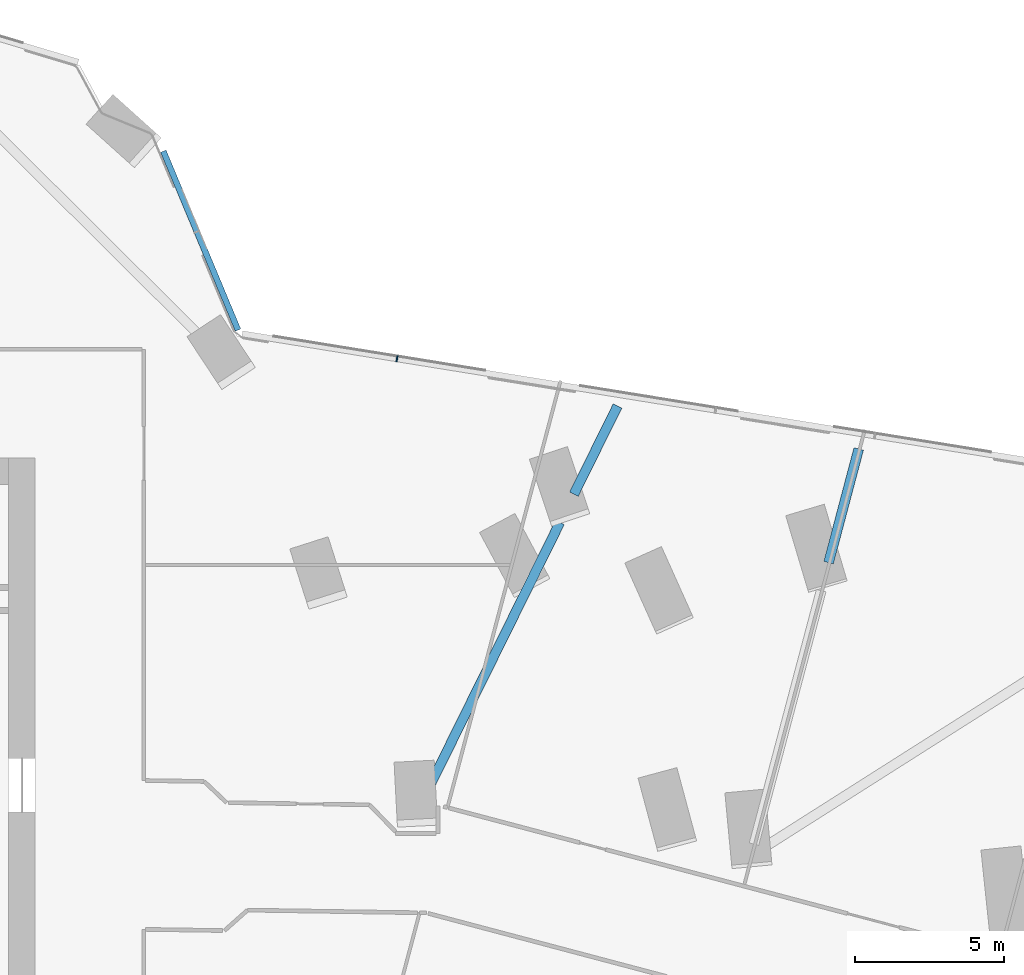
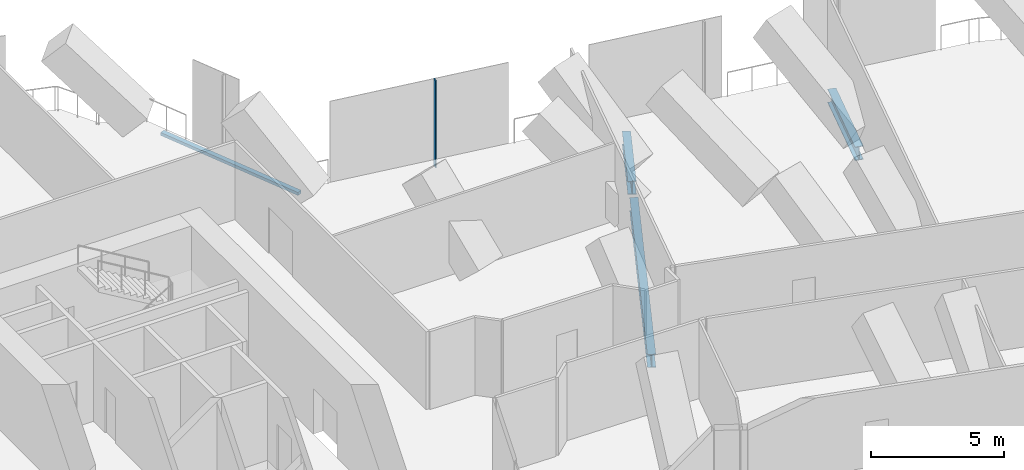
# One storey, part 15 of 37: 3 beams, 2 members, 2 elements without a shape of their own.
"""IFC4 building model written with IfcOpenShell, lengths in metres."""

from ifc_helpers import new_model, si_unit, direction, frame, origin, origin_2d, place, context, subcontext, project, spatial, rectangle, i_section, extrude, material, material_profile, profile_set, type_object, element, aggregate, save


model = new_model("IFC4")

# Units and contexts
model_context = context("Model", 3, precision=1e-05, world=origin(), true_north=direction((0.0, 1.0)))
body_context = subcontext(model_context, "Body", "Model", "MODEL_VIEW")
ifc_project = project(units=[si_unit("LENGTHUNIT", "METRE"), si_unit("AREAUNIT", "SQUARE_METRE"), si_unit("VOLUMEUNIT", "CUBIC_METRE"), si_unit("PLANEANGLEUNIT", "RADIAN"), si_unit("MASSUNIT", "GRAM", prefix="KILO")], contexts=[model_context])

# Site, building, storey
site_placement = place(None, origin())
site = spatial("IfcSite", under=ifc_project, at=site_placement, CompositionType="ELEMENT")
building_placement = place(site_placement, origin())
building = spatial("IfcBuilding", under=site, at=building_placement, Name="Orlundy Tower", CompositionType="ELEMENT")
storey_placement = place(building_placement, frame((0.0, 0.0, 119.699951171875)))
storey = spatial("IfcBuildingStorey", under=building, at=storey_placement, Name="L30", CompositionType="ELEMENT", Elevation=119.699951171875)

# Beams
ifc_material_1 = material(Name="Steel ASTM A992 Gr 50", Category="steel")
ifc_material_profile_1 = material_profile(ifc_material_1, i_section(OverallWidth=0.32373046875, OverallDepth=0.611083984375, WebThickness=0.0126953125, FlangeThickness=0.01904296875, at=origin_2d()), Name="W24X104")
ifc_profile_set_1 = profile_set([ifc_material_profile_1], Name="Steel ASTM A992 Gr 50")
beam_type_1 = type_object("IfcBeamType", Name="CANTILEVER GIRDER beam W24X104", PredefinedType="BEAM", material=ifc_profile_set_1)
beam_1_placement = place(storey_placement, frame((38.56640625, 13.744873046875, -0.70556640625), z_axis=(-0.442958974755, -0.896541882281, 0.0), x_axis=(0.896541882281, -0.442958974755, 0.0)))
element("IfcBeam", 1, at=beam_1_placement, inside=storey, type_object=beam_type_1, Name="Cantilever girder C-A5-1 L30", PredefinedType="BEAM", context=body_context, shape_type="SweptSolid", body=[
    extrude(i_section(OverallWidth=0.32373046875, OverallDepth=0.611083984375, WebThickness=0.0126953125, FlangeThickness=0.01904296875, at=origin_2d()), origin(), (0.0, 0.0, 1.0), 3.30908203125),
])
beam_2_placement = place(storey_placement, frame((36.63330078125, 9.831787109375, -0.70556640625), z_axis=(-0.442931188503, -0.896555610239, 0.0), x_axis=(0.896555610239, -0.442931188503, 0.0)))
element("IfcBeam", 2, at=beam_2_placement, inside=storey, type_object=beam_type_1, Name="Back-span girder C-A5-1 L30", PredefinedType="BEAM", context=body_context, shape_type="SweptSolid", body=[
    extrude(i_section(OverallWidth=0.32373046875, OverallDepth=0.611083984375, WebThickness=0.0126953125, FlangeThickness=0.01904296875, at=origin_2d()), origin(), (0.0, 0.0, 1.0), 10.342529296875),
])
ifc_material_2 = material(Name="Steel ASTM A992 Gr 50", Category="steel")
ifc_material_profile_2 = material_profile(ifc_material_2, i_section(OverallWidth=0.3291015625, OverallDepth=0.635009765625, WebThickness=0.017822265625, FlangeThickness=0.031005859375, at=origin_2d()), Name="W24X162")
ifc_profile_set_2 = profile_set([ifc_material_profile_2], Name="Steel ASTM A992 Gr 50")
beam_type_2 = type_object("IfcBeamType", Name="CANTILEVER GIRDER beam W24X162", PredefinedType="BEAM", material=ifc_profile_set_2)
beam_3_placement = place(storey_placement, frame((46.67138671875, 12.29931640625, -0.717529296875), z_axis=(-0.25606583527, -0.966659344344, 0.0), x_axis=(0.966659344344, -0.25606583527, 0.0)))
element("IfcBeam", 3, at=beam_3_placement, inside=storey, type_object=beam_type_2, Name="Cantilever girder C-A5-2 L30", PredefinedType="BEAM", context=body_context, shape_type="SweptSolid", body=[
    extrude(i_section(OverallWidth=0.3291015625, OverallDepth=0.635009765625, WebThickness=0.017822265625, FlangeThickness=0.031005859375, at=origin_2d()), origin(), (0.0, 0.0, 1.0), 3.949951171875),
])

# Curtain wall, member
ifc_material_3 = material(Name="Aluminium bronze anodised", Category="aluminium")
curtain_wall_type = type_object("IfcCurtainWallType", Name="CW5 wall", PredefinedType="NOTDEFINED", material=ifc_material_3)
curtain_wall_1_placement = place(storey_placement, origin())
curtain_wall_1 = element("IfcCurtainWall", 4, at=curtain_wall_1_placement, inside=storey, type_object=curtain_wall_type, Name="CW5 run 015", PredefinedType="NOTDEFINED")
ifc_material_4 = material(Name="Aluminium bronze anodised", Category="aluminium")
ifc_material_profile_3 = material_profile(ifc_material_4, rectangle(XDim=0.199951171875, YDim=0.050048828125, at=origin_2d()), Name="CW5 mullion 50x200")
ifc_profile_set_3 = profile_set([ifc_material_profile_3], Name="Aluminium bronze anodised")
member_type_1 = type_object("IfcMemberType", Name="CW5 mullion 50x200", PredefinedType="MULLION", material=ifc_profile_set_3)
member_1_placement = place(storey_placement, frame((31.15673828125, 15.33203125, -0.39990234375), z_axis=(0.0, 0.0, 1.0), x_axis=(0.159305514177, 0.987229331591, 0.0)))
member_1 = element("IfcMember", 5, at=member_1_placement, type_object=member_type_1, Name="CW5 mullion 24", PredefinedType="MULLION", context=body_context, shape_type="SweptSolid", body=[
    extrude(rectangle(XDim=0.199951171875, YDim=0.050048828125, at=origin_2d()), origin(), (0.0, 0.0, 1.0), 4.0),
])
aggregate(curtain_wall_1, [member_1])

curtain_wall_2_placement = place(storey_placement, origin())
curtain_wall_2 = element("IfcCurtainWall", 6, at=curtain_wall_2_placement, inside=storey, type_object=curtain_wall_type, Name="CW5 run 014", PredefinedType="NOTDEFINED")
ifc_material_5 = material(Name="Aluminium bronze anodised", Category="aluminium")
ifc_material_profile_4 = material_profile(ifc_material_5, rectangle(XDim=0.199951171875, YDim=0.139892578125, at=origin_2d()), Name="CW5 transom 200x140")
ifc_profile_set_4 = profile_set([ifc_material_profile_4], Name="Aluminium bronze anodised")
member_type_2 = type_object("IfcMemberType", Name="CW5 transom 200x140", PredefinedType="USERDEFINED", material=ifc_profile_set_4)
member_2_placement = place(storey_placement, frame((23.30419921875, 22.305419921875, -0.329833984375), z_axis=(0.385411057007, -0.922744990307, 0.0), x_axis=(0.922744990307, 0.385411057007, 0.0)))
member_2 = element("IfcMember", 7, at=member_2_placement, type_object=member_type_2, Name="CW5 transom", ObjectType="TRANSOM", PredefinedType="USERDEFINED", context=body_context, shape_type="SweptSolid", body=[
    extrude(rectangle(XDim=0.199951171875, YDim=0.139892578125, at=origin_2d()), origin(), (0.0, 0.0, 1.0), 6.51318359375),
])
aggregate(curtain_wall_2, [member_2])

save(model, "model.ifc")
